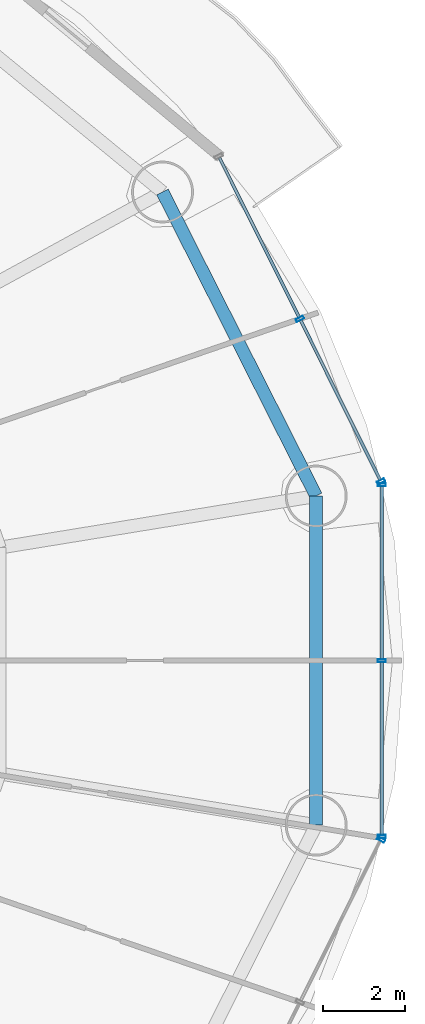
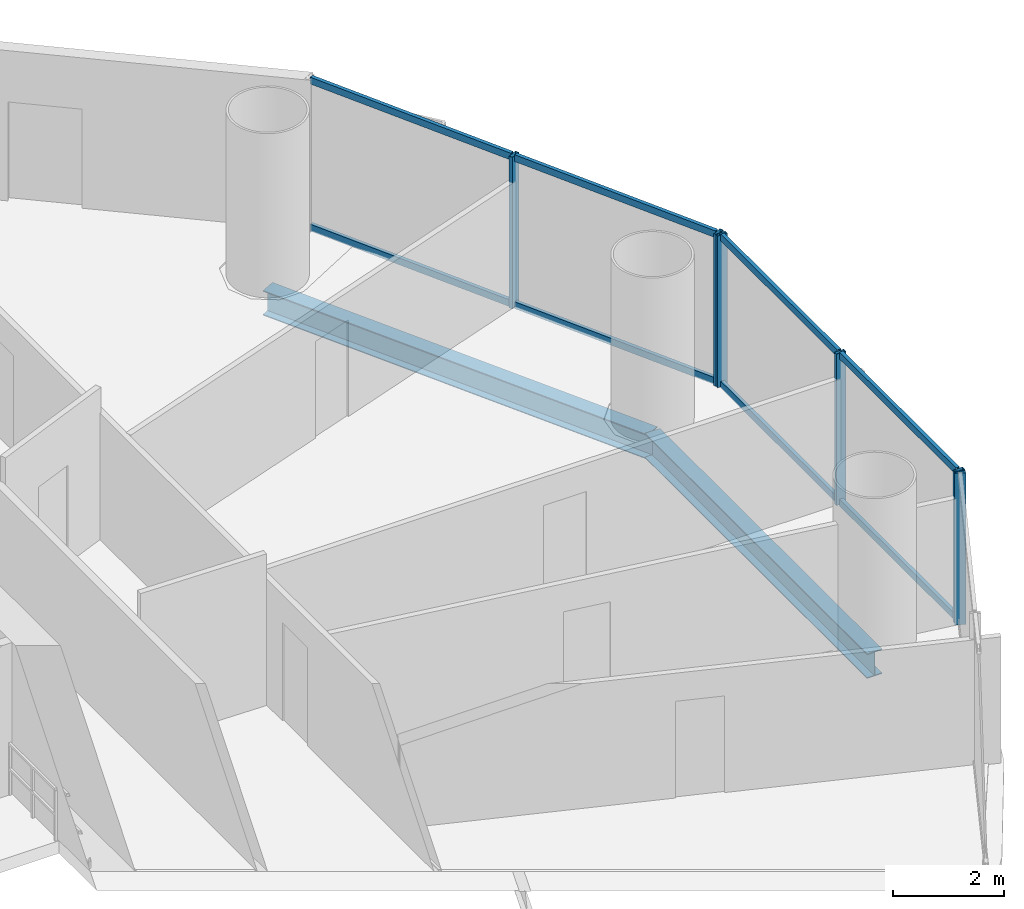
# One storey, part 15 of 29: 14 members, 2 beams, 3 elements without a shape of their own.
"""IFC4 building model written with IfcOpenShell, lengths in metres."""

from ifc_helpers import new_model, si_unit, direction, frame, origin, origin_2d, place, context, subcontext, project, spatial, hollow_rectangle, i_section, extrude, source, transform, mapped, material, material_profile, profile_set, type_object, element, aggregate, save


model = new_model("IFC4")

# Units and contexts
model_context = context("Model", 3, precision=1e-05, world=origin(), true_north=direction((-0.2419218956, 0.970295726276)))
body_context = subcontext(model_context, "Body", "Model", "MODEL_VIEW")
ifc_project = project(units=[si_unit("LENGTHUNIT", "METRE"), si_unit("AREAUNIT", "SQUARE_METRE"), si_unit("VOLUMEUNIT", "CUBIC_METRE"), si_unit("PLANEANGLEUNIT", "RADIAN"), si_unit("MASSUNIT", "GRAM", prefix="KILO")], contexts=[model_context])

# Site, building, storey
site_placement = place(None, origin())
site = spatial("IfcSite", under=ifc_project, at=site_placement, CompositionType="ELEMENT")
building_placement = place(site_placement, origin())
building = spatial("IfcBuilding", under=site, at=building_placement, Name="Cobrevalo Terracotta Tower", CompositionType="ELEMENT")
storey_placement = place(building_placement, frame((0.0, 0.0, 119.39990234375)))
storey = spatial("IfcBuildingStorey", under=building, at=storey_placement, Name="L31", CompositionType="ELEMENT", Elevation=119.39990234375)

# Beams
ifc_material_1 = material(Name="Steel S355", Category="steel")
ifc_material_profile_1 = material_profile(ifc_material_1, i_section(OverallWidth=0.31201171875, OverallDepth=0.54296875, WebThickness=0.0126953125, FlangeThickness=0.020263671875, at=origin_2d()), Name="W 530x150")
ifc_profile_set_1 = profile_set([ifc_material_profile_1], Name="Steel S355")
beam_type = type_object("IfcBeamType", Name="Structural Spandrel W 530x150 (Steel S355)", PredefinedType="SPANDREL", material=ifc_profile_set_1)
beam_1_placement = place(storey_placement, frame((62.470703125, 30.78955078125, -0.54638671875), z_axis=(-0.451051982172, 0.892497680321, 0.0), x_axis=(-0.892497680321, -0.451051982172, 0.0)))
element("IfcBeam", 1, at=beam_1_placement, inside=storey, type_object=beam_type, Name="L31 perimeter ring spandrel 01", PredefinedType="SPANDREL", context=body_context, shape_type="SweptSolid", body=[
    extrude(i_section(OverallWidth=0.31201171875, OverallDepth=0.54296875, WebThickness=0.0126953125, FlangeThickness=0.020263671875, at=origin_2d()), origin(), (0.0, 0.0, 1.0), 8.259765625),
])
beam_2_placement = place(storey_placement, frame((62.470703125, 22.810302734375, -0.54638671875), z_axis=(0.0, 1.0, 0.0), x_axis=(-1.0, 0.0, 0.0)))
element("IfcBeam", 2, at=beam_2_placement, inside=storey, type_object=beam_type, Name="L31 perimeter ring spandrel 16", PredefinedType="SPANDREL", context=body_context, shape_type="SweptSolid", body=[
    extrude(i_section(OverallWidth=0.31201171875, OverallDepth=0.54296875, WebThickness=0.0126953125, FlangeThickness=0.020263671875, at=origin_2d()), origin(), (0.0, 0.0, 1.0), 7.979248046875),
])

# Curtain wall, members
ifc_material_2 = material(Name="Anodized aluminium", Category="aluminium")
curtain_wall_type = type_object("IfcCurtainWallType", Name="Lower-tower unitised acoustic low-E curtain wall CW-U1", PredefinedType="NOTDEFINED", material=ifc_material_2)
curtain_wall_1_placement = place(storey_placement, origin())
curtain_wall_1 = element("IfcCurtainWall", 3, at=curtain_wall_1_placement, inside=storey, type_object=curtain_wall_type, Name="L31 curtain wall CW-L31-S16", PredefinedType="NOTDEFINED")
ifc_material_profile_2 = material_profile(ifc_material_2, hollow_rectangle(XDim=0.074951171875, YDim=0.14990234375, WallThickness=0.00439453125, at=origin_2d()), Name="CWT 75x150")
ifc_profile_set_2 = profile_set([ifc_material_profile_2], Name="Anodized aluminium")
member_type_1 = type_object("IfcMemberType", Name="Tower unitised aluminium transom 75x150", PredefinedType="USERDEFINED", material=ifc_profile_set_2)
shared_shape_1 = source(origin(), body_context, "Body", "SweptSolid", [
    extrude(hollow_rectangle(XDim=0.074951171875, YDim=0.14990234375, WallThickness=0.00439453125, at=origin_2d()), origin(), (0.0, 0.0, 1.0), 4.185546875),
])
member_1_placement = place(storey_placement, frame((64.0595703125, 22.574462890625, 0.050048828125), z_axis=(0.0, 1.0, 0.0), x_axis=(-1.0, 0.0, 0.0)))
member_1 = element("IfcMember", 4, at=member_1_placement, type_object=member_type_1, Name="CW-L31-S16 transom B01-T1", ObjectType="TRANSOM", PredefinedType="USERDEFINED", context=body_context, shape_type="MappedRepresentation", body=[
    mapped(shared_shape_1, transform((0.0, 0.0, 0.0), scale=1.0)),
])
member_2_placement = place(storey_placement, frame((64.0595703125, 22.574462890625, 3.275146484375), z_axis=(0.0, 1.0, 0.0), x_axis=(-1.0, 0.0, 0.0)))
member_2 = element("IfcMember", 5, at=member_2_placement, type_object=member_type_1, Name="CW-L31-S16 transom B01-T2", ObjectType="TRANSOM", PredefinedType="USERDEFINED", context=body_context, shape_type="MappedRepresentation", body=[
    mapped(shared_shape_1, transform((0.0, 0.0, 0.0), scale=1.0)),
])
member_3_placement = place(storey_placement, frame((64.0595703125, 26.840087890625, 0.050048828125), z_axis=(0.0, 1.0, 0.0), x_axis=(-1.0, 0.0, 0.0)))
member_3 = element("IfcMember", 6, at=member_3_placement, type_object=member_type_1, Name="CW-L31-S16 transom B02-T1", ObjectType="TRANSOM", PredefinedType="USERDEFINED", context=body_context, shape_type="MappedRepresentation", body=[
    mapped(shared_shape_1, transform((0.0, 0.0, 0.0), scale=1.0)),
])
member_4_placement = place(storey_placement, frame((64.0595703125, 26.840087890625, 3.275146484375), z_axis=(0.0, 1.0, 0.0), x_axis=(-1.0, 0.0, 0.0)))
member_4 = element("IfcMember", 7, at=member_4_placement, type_object=member_type_1, Name="CW-L31-S16 transom B02-T2", ObjectType="TRANSOM", PredefinedType="USERDEFINED", context=body_context, shape_type="MappedRepresentation", body=[
    mapped(shared_shape_1, transform((0.0, 0.0, 0.0), scale=1.0)),
])

curtain_wall_2_placement = place(storey_placement, origin())
curtain_wall_2 = element("IfcCurtainWall", 8, at=curtain_wall_2_placement, inside=storey, type_object=curtain_wall_type, Name="L31 curtain wall CW-L31-S01", PredefinedType="NOTDEFINED")
shared_shape_2 = source(origin(), body_context, "Body", "SweptSolid", [
    extrude(hollow_rectangle(XDim=0.074951171875, YDim=0.14990234375, WallThickness=0.00439453125, at=origin_2d()), origin(), (0.0, 0.0, 1.0), 4.324951171875),
])
member_5_placement = place(storey_placement, frame((64.023681640625, 31.17724609375, 0.050048828125), z_axis=(-0.446219838389, 0.894923379864, 0.0), x_axis=(-0.894923379864, -0.446219838389, 0.0)))
member_5 = element("IfcMember", 9, at=member_5_placement, type_object=member_type_1, Name="CW-L31-S01 transom B01-T1", ObjectType="TRANSOM", PredefinedType="USERDEFINED", context=body_context, shape_type="MappedRepresentation", body=[
    mapped(shared_shape_2, transform((0.0, 0.0, 0.0), scale=1.0)),
])
member_6_placement = place(storey_placement, frame((64.023681640625, 31.17724609375, 3.275146484375), z_axis=(-0.446219838389, 0.894923379864, 0.0), x_axis=(-0.894923379864, -0.446219838389, 0.0)))
member_6 = element("IfcMember", 10, at=member_6_placement, type_object=member_type_1, Name="CW-L31-S01 transom B01-T2", ObjectType="TRANSOM", PredefinedType="USERDEFINED", context=body_context, shape_type="MappedRepresentation", body=[
    mapped(shared_shape_2, transform((0.0, 0.0, 0.0), scale=1.0)),
])
member_7_placement = place(storey_placement, frame((62.057861328125, 35.119384765625, 0.050048828125), z_axis=(-0.44624238083, 0.894912139571, 0.0), x_axis=(-0.894912139571, -0.44624238083, 0.0)))
member_7 = element("IfcMember", 11, at=member_7_placement, type_object=member_type_1, Name="CW-L31-S01 transom B02-T1", ObjectType="TRANSOM", PredefinedType="USERDEFINED", context=body_context, shape_type="MappedRepresentation", body=[
    mapped(shared_shape_2, transform((0.0, 0.0, 0.0), scale=1.0)),
])
member_8_placement = place(storey_placement, frame((62.057861328125, 35.119384765625, 3.275146484375), z_axis=(-0.44624238083, 0.894912139571, 0.0), x_axis=(-0.894912139571, -0.44624238083, 0.0)))
member_8 = element("IfcMember", 12, at=member_8_placement, type_object=member_type_1, Name="CW-L31-S01 transom B02-T2", ObjectType="TRANSOM", PredefinedType="USERDEFINED", context=body_context, shape_type="MappedRepresentation", body=[
    mapped(shared_shape_2, transform((0.0, 0.0, 0.0), scale=1.0)),
])
ifc_material_profile_3 = material_profile(ifc_material_2, hollow_rectangle(XDim=0.074951171875, YDim=0.199951171875, WallThickness=0.0048828125, at=origin_2d()), Name="CWM 75x200")
ifc_profile_set_3 = profile_set([ifc_material_profile_3], Name="Anodized aluminium")
member_type_2 = type_object("IfcMemberType", Name="Lower/mid tower unitised mullion 75x200", PredefinedType="MULLION", material=ifc_profile_set_3)
shared_shape_3 = source(origin(), body_context, "Body", "SweptSolid", [
    extrude(hollow_rectangle(XDim=0.074951171875, YDim=0.199951171875, WallThickness=0.0048828125, at=origin_2d()), origin(), (0.0, 0.0, 1.0), 3.3251953125),
])
member_9_placement = place(storey_placement, frame((64.04150390625, 31.141357421875, 0.0), z_axis=(0.0, 0.0, 1.0), x_axis=(-0.446260290227, 0.894903208937, 0.0)))
member_9 = element("IfcMember", 13, at=member_9_placement, type_object=member_type_2, Name="CW-L31-S01 vertical mullion 01", PredefinedType="MULLION", context=body_context, shape_type="MappedRepresentation", body=[
    mapped(shared_shape_3, transform((0.0, 0.0, 0.0), scale=1.0)),
])
member_10_placement = place(storey_placement, frame((62.075927734375, 35.08349609375, 0.0), z_axis=(0.0, 0.0, 1.0), x_axis=(-0.446260290227, 0.894903208937, 0.0)))
member_10 = element("IfcMember", 14, at=member_10_placement, type_object=member_type_2, Name="CW-L31-S01 vertical mullion 02", PredefinedType="MULLION", context=body_context, shape_type="MappedRepresentation", body=[
    mapped(shared_shape_3, transform((0.0, 0.0, 0.0), scale=1.0)),
])
aggregate(curtain_wall_2, [member_9, member_10, member_5, member_6, member_7, member_8])

# Curtain wall, member
curtain_wall_3_placement = place(storey_placement, origin())
curtain_wall_3 = element("IfcCurtainWall", 15, at=curtain_wall_3_placement, inside=storey, type_object=curtain_wall_type, Name="L31 curtain wall CW-L31-S15", PredefinedType="NOTDEFINED")
member_11_placement = place(storey_placement, frame((64.04150390625, 22.45849609375, 0.0), z_axis=(0.0, 0.0, 1.0), x_axis=(0.446260290227, 0.894903208937, 0.0)))
member_11 = element("IfcMember", 16, at=member_11_placement, type_object=member_type_2, Name="CW-L31-S15 vertical mullion 03", PredefinedType="MULLION", context=body_context, shape_type="MappedRepresentation", body=[
    mapped(shared_shape_3, transform((0.0, 0.0, 0.0), scale=1.0)),
])
aggregate(curtain_wall_3, [member_11])

# Member
member_12_placement = place(storey_placement, frame((64.0595703125, 22.534423828125, 0.0), z_axis=(0.0, 0.0, 1.0), x_axis=(0.0, 1.0, 0.0)))
member_12 = element("IfcMember", 17, at=member_12_placement, type_object=member_type_2, Name="CW-L31-S16 vertical mullion 01", PredefinedType="MULLION", context=body_context, shape_type="MappedRepresentation", body=[
    mapped(shared_shape_3, transform((0.0, 0.0, 0.0), scale=1.0)),
])

member_13_placement = place(storey_placement, frame((64.0595703125, 26.800048828125, 0.0), z_axis=(0.0, 0.0, 1.0), x_axis=(0.0, 1.0, 0.0)))
member_13 = element("IfcMember", 18, at=member_13_placement, type_object=member_type_2, Name="CW-L31-S16 vertical mullion 02", PredefinedType="MULLION", context=body_context, shape_type="MappedRepresentation", body=[
    mapped(shared_shape_3, transform((0.0, 0.0, 0.0), scale=1.0)),
])

member_14_placement = place(storey_placement, frame((64.0595703125, 31.065673828125, 0.0), z_axis=(0.0, 0.0, 1.0), x_axis=(0.0, 1.0, 0.0)))
member_14 = element("IfcMember", 19, at=member_14_placement, type_object=member_type_2, Name="CW-L31-S16 vertical mullion 03", PredefinedType="MULLION", context=body_context, shape_type="MappedRepresentation", body=[
    mapped(shared_shape_3, transform((0.0, 0.0, 0.0), scale=1.0)),
])

aggregate(curtain_wall_1, [member_12, member_13, member_14, member_1, member_2, member_3, member_4])

save(model, "model.ifc")
